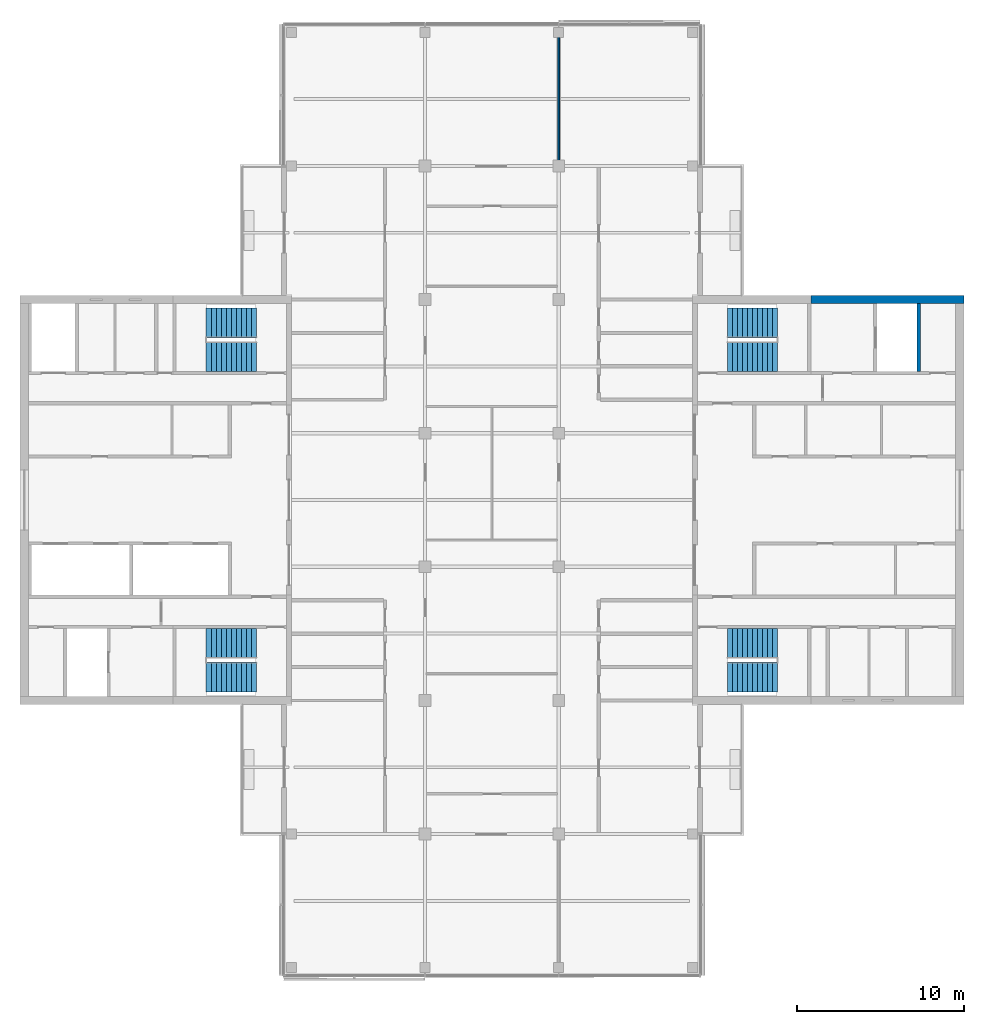
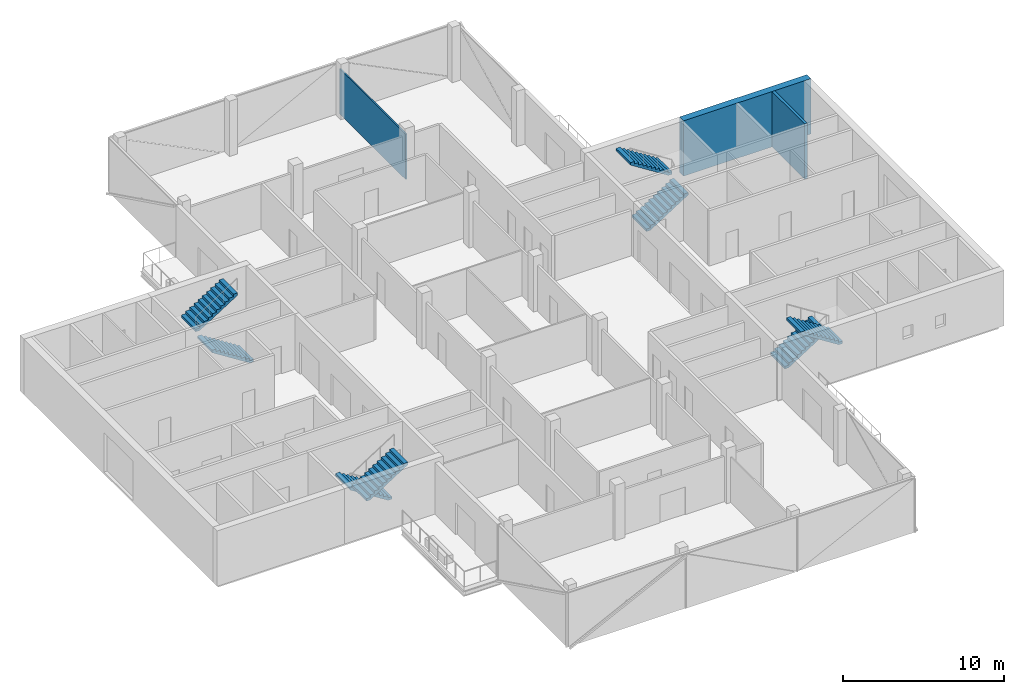
# One storey, part 9 of 12: 8 stair flights, 3 walls, 4 elements without a shape of their own.
"""IFC4 building model written with IfcOpenShell, lengths in metres."""

from ifc_helpers import new_model, si_unit, direction, frame, frame_2d, origin, place, context, subcontext, project, spatial, polyline, rectangle, outline, extrude, material, layer, layer_set, constituent, constituent_set, type_object, element, aggregate, save


model = new_model("IFC4")

# Units and contexts
model_context = context("Model", 3, precision=1e-05, world=origin(), true_north=direction((0.0, 1.0)))
body_context = subcontext(model_context, "Body", "Model", "MODEL_VIEW")
ifc_project = project(units=[si_unit("LENGTHUNIT", "METRE"), si_unit("AREAUNIT", "SQUARE_METRE"), si_unit("VOLUMEUNIT", "CUBIC_METRE"), si_unit("PLANEANGLEUNIT", "RADIAN"), si_unit("MASSUNIT", "GRAM", prefix="KILO")], contexts=[model_context])

# Site, building, storey
site_placement = place(None, origin())
site = spatial("IfcSite", under=ifc_project, at=site_placement, CompositionType="ELEMENT")
building_placement = place(site_placement, origin())
building = spatial("IfcBuilding", under=site, at=building_placement, Name="Crosswind Convention Tower", CompositionType="ELEMENT")
storey_placement = place(building_placement, frame((0.0, 0.0, 245.10009765625)))
storey = spatial("IfcBuildingStorey", under=building, at=storey_placement, Name="L52", CompositionType="ELEMENT", Elevation=245.10009765625)

# Walls
ifc_material_1 = material(Name="Concrete C50/60", Category="concrete")
ifc_layer_1 = layer(ifc_material_1, 0.199951171875)
ifc_layer_set_1 = layer_set([ifc_layer_1], Name="Concrete C50/60")
wall_type_1 = type_object("IfcWallType", Name="Concrete shaft and stair wall 200", PredefinedType="SHEAR", material=ifc_layer_set_1)
wall_1_placement = place(storey_placement, frame((150.550048828125, 107.699951171875, 0.0), z_axis=(0.0, 0.0, 1.0), x_axis=(0.0, 1.0, 0.0)))
element("IfcWall", 1, at=wall_1_placement, inside=storey, type_object=wall_type_1, Name="Wall PFSE E L52", PredefinedType="SHEAR", context=body_context, shape_type="SweptSolid", body=[
    extrude(rectangle(XDim=4.050048828125, YDim=0.199951171875, at=frame_2d((2.02490234375, 0.0))), origin(), (0.0, 0.0, 1.0), 4.199951171875),
])
ifc_material_2 = material(Name="Plasterboard partition", Category="gypsum")
ifc_layer_2 = layer(ifc_material_2, 0.10009765625)
ifc_layer_set_2 = layer_set([ifc_layer_2], Name="PARTITION 100 METAL STUD")
wall_type_2 = type_object("IfcWallType", Name="PARTITION 100 METAL STUD", PredefinedType="PARTITIONING", material=ifc_layer_set_2)
wall_2_placement = place(storey_placement, frame((129.0, 120.074951171875, 0.0), z_axis=(0.0, 0.0, 1.0), x_axis=(0.0, 1.0, 0.0)))
element("IfcWall", 2, at=wall_2_placement, inside=storey, type_object=wall_type_2, Name="Partition wall WT40", PredefinedType="PARTITIONING", context=body_context, shape_type="SweptSolid", body=[
    extrude(rectangle(XDim=8.195068359375, YDim=0.10009765625, at=frame_2d((4.09765625, 0.0))), origin(), (0.0, 0.0, 1.0), 3.442626953125),
])
ifc_material_3 = material(Name="Concrete C60/75", Category="concrete")
ifc_constituent_1 = constituent(ifc_material_3, Name="Structure")
ifc_material_4 = material(Name="Terracotta rainscreen", Category="ceramic")
ifc_constituent_2 = constituent(ifc_material_4, Name="Facing")
ifc_constituent_set = constituent_set(constituents=[ifc_constituent_1, ifc_constituent_2], Name="Concrete C60/75, Terracotta rainscreen")
wall_type_3 = type_object("IfcWallType", Name="Terracotta rainscreen on concrete core wall 500", PredefinedType="SHEAR", material=ifc_constituent_set)
wall_3_placement = place(storey_placement, frame((144.10009765625, 112.0, 0.0), z_axis=(0.0, 0.0, 1.0), x_axis=(1.0, 0.0, 0.0)))
element("IfcWall", 3, at=wall_3_placement, inside=storey, type_object=wall_type_3, Name="Wall N2 E L52", PredefinedType="SHEAR", context=body_context, shape_type="SweptSolid", body=[
    extrude(rectangle(XDim=9.14990234375, YDim=0.5, at=frame_2d((4.574951171875, 0.0))), origin(), (0.0, 0.0, 1.0), 4.199951171875),
])

# Stair, stair flights
ifc_material_5 = material(Name="Concrete C40/50", Category="concrete")
stair_type = type_object("IfcStairType", Name="Exit stair 1800 wide, 2 flights of 11 risers", PredefinedType="HALF_TURN_STAIR", material=ifc_material_5)
stair_1_placement = place(storey_placement, origin())
stair_1 = element("IfcStair", 4, at=stair_1_placement, inside=storey, type_object=stair_type, Name="Exit stair ST1 L52", ObjectType="ST5", PredefinedType="HALF_TURN_STAIR")
stair_flight_type = type_object("IfcStairFlightType", Name="Stair flight 1800 wide, 11 risers (SF4)", PredefinedType="STRAIGHT", material=ifc_material_5)
stair_flight_1_placement = place(storey_placement, frame((139.10009765625, 108.60009765625, 0.0), z_axis=(0.0, 0.0, 1.0), x_axis=(1.0, 0.0, 0.0)))
stair_flight_1 = element("IfcStairFlight", 5, at=stair_flight_1_placement, type_object=stair_flight_type, Name="ST1 flight 1", NumberOfRisers=11, NumberOfTreads=10, PredefinedType="STRAIGHT", RiserHeight=0.190909091, TreadLength=0.3, context=body_context, shape_type="SweptSolid", body=[
    extrude(outline(polyline([(0.0, 0.0), (0.0, 0.19091796875), (0.300048828125, 0.19091796875), (0.300048828125, 0.3818359375), (0.60009765625, 0.3818359375), (0.60009765625, 0.57275390625), (0.89990234375, 0.57275390625), (0.89990234375, 0.763671875), (1.199951171875, 0.763671875), (1.199951171875, 0.95458984375), (1.5, 0.95458984375), (1.5, 1.1455078125), (1.800048828125, 1.1455078125), (1.800048828125, 1.33642578125), (2.10009765625, 1.33642578125), (2.10009765625, 1.52734375), (2.39990234375, 1.52734375), (2.39990234375, 1.71826171875), (2.699951171875, 1.71826171875), (2.699951171875, 1.9091796875), (3.0, 1.9091796875), (3.0, 2.10009765625), (3.0, 1.7314453125), (0.279296875, 0.0), (0.0, 0.0)])), frame((0.0, 0.89990234375, 0.0), z_axis=(0.0, -1.0, 0.0), x_axis=(1.0, 0.0, 0.0)), (0.0, 0.0, 1.0), 1.800048828125),
])
stair_flight_2_placement = place(storey_placement, frame((142.10009765625, 110.60009765625, 2.099853515625), z_axis=(0.0, 0.0, 1.0), x_axis=(-1.0, 0.0, 0.0)))
stair_flight_2 = element("IfcStairFlight", 6, at=stair_flight_2_placement, type_object=stair_flight_type, Name="ST1 flight 2", NumberOfRisers=11, NumberOfTreads=10, PredefinedType="STRAIGHT", RiserHeight=0.190909091, TreadLength=0.3, context=body_context, shape_type="SweptSolid", body=[
    extrude(outline(polyline([(0.0, 0.0), (0.0, 0.19091796875), (0.300048828125, 0.19091796875), (0.300048828125, 0.3818359375), (0.60009765625, 0.3818359375), (0.60009765625, 0.57275390625), (0.89990234375, 0.57275390625), (0.89990234375, 0.763671875), (1.199951171875, 0.763671875), (1.199951171875, 0.95458984375), (1.5, 0.95458984375), (1.5, 1.1455078125), (1.800048828125, 1.1455078125), (1.800048828125, 1.33642578125), (2.10009765625, 1.33642578125), (2.10009765625, 1.52734375), (2.39990234375, 1.52734375), (2.39990234375, 1.71826171875), (2.699951171875, 1.71826171875), (2.699951171875, 1.9091796875), (3.0, 1.9091796875), (3.0, 2.10009765625), (3.0, 1.7314453125), (0.279296875, 0.0), (0.0, 0.0)])), frame((0.0, 0.89990234375, 0.0), z_axis=(0.0, -1.0, 0.0), x_axis=(1.0, 0.0, 0.0)), (0.0, 0.0, 1.0), 1.800048828125),
])
aggregate(stair_1, [stair_flight_1, stair_flight_2])

stair_2_placement = place(storey_placement, origin())
stair_2 = element("IfcStair", 7, at=stair_2_placement, inside=storey, type_object=stair_type, Name="Exit stair ST2 L52", ObjectType="ST5", PredefinedType="HALF_TURN_STAIR")
stair_flight_3_placement = place(storey_placement, frame((139.10009765625, 91.39990234375, 0.0), z_axis=(0.0, 0.0, 1.0), x_axis=(1.0, 0.0, 0.0)))
stair_flight_3 = element("IfcStairFlight", 8, at=stair_flight_3_placement, type_object=stair_flight_type, Name="ST2 flight 1", NumberOfRisers=11, NumberOfTreads=10, PredefinedType="STRAIGHT", RiserHeight=0.190909091, TreadLength=0.3, context=body_context, shape_type="SweptSolid", body=[
    extrude(outline(polyline([(0.0, 0.0), (0.0, 0.19091796875), (0.300048828125, 0.19091796875), (0.300048828125, 0.3818359375), (0.60009765625, 0.3818359375), (0.60009765625, 0.57275390625), (0.89990234375, 0.57275390625), (0.89990234375, 0.763671875), (1.199951171875, 0.763671875), (1.199951171875, 0.95458984375), (1.5, 0.95458984375), (1.5, 1.1455078125), (1.800048828125, 1.1455078125), (1.800048828125, 1.33642578125), (2.10009765625, 1.33642578125), (2.10009765625, 1.52734375), (2.39990234375, 1.52734375), (2.39990234375, 1.71826171875), (2.699951171875, 1.71826171875), (2.699951171875, 1.9091796875), (3.0, 1.9091796875), (3.0, 2.10009765625), (3.0, 1.7314453125), (0.279296875, 0.0), (0.0, 0.0)])), frame((0.0, 0.89990234375, 0.0), z_axis=(0.0, -1.0, 0.0), x_axis=(1.0, 0.0, 0.0)), (0.0, 0.0, 1.0), 1.800048828125),
])
stair_flight_4_placement = place(storey_placement, frame((142.10009765625, 89.39990234375, 2.099853515625), z_axis=(0.0, 0.0, 1.0), x_axis=(-1.0, 0.0, 0.0)))
stair_flight_4 = element("IfcStairFlight", 9, at=stair_flight_4_placement, type_object=stair_flight_type, Name="ST2 flight 2", NumberOfRisers=11, NumberOfTreads=10, PredefinedType="STRAIGHT", RiserHeight=0.190909091, TreadLength=0.3, context=body_context, shape_type="SweptSolid", body=[
    extrude(outline(polyline([(0.0, 0.0), (0.0, 0.19091796875), (0.300048828125, 0.19091796875), (0.300048828125, 0.3818359375), (0.60009765625, 0.3818359375), (0.60009765625, 0.57275390625), (0.89990234375, 0.57275390625), (0.89990234375, 0.763671875), (1.199951171875, 0.763671875), (1.199951171875, 0.95458984375), (1.5, 0.95458984375), (1.5, 1.1455078125), (1.800048828125, 1.1455078125), (1.800048828125, 1.33642578125), (2.10009765625, 1.33642578125), (2.10009765625, 1.52734375), (2.39990234375, 1.52734375), (2.39990234375, 1.71826171875), (2.699951171875, 1.71826171875), (2.699951171875, 1.9091796875), (3.0, 1.9091796875), (3.0, 2.10009765625), (3.0, 1.7314453125), (0.279296875, 0.0), (0.0, 0.0)])), frame((0.0, 0.89990234375, 0.0), z_axis=(0.0, -1.0, 0.0), x_axis=(1.0, 0.0, 0.0)), (0.0, 0.0, 1.0), 1.800048828125),
])
aggregate(stair_2, [stair_flight_3, stair_flight_4])

stair_3_placement = place(storey_placement, origin())
stair_3 = element("IfcStair", 10, at=stair_3_placement, inside=storey, type_object=stair_type, Name="Exit stair ST3 L52", ObjectType="ST5", PredefinedType="HALF_TURN_STAIR")
stair_flight_5_placement = place(storey_placement, frame((110.89990234375, 91.39990234375, 0.0), z_axis=(0.0, 0.0, 1.0), x_axis=(-1.0, 0.0, 0.0)))
stair_flight_5 = element("IfcStairFlight", 11, at=stair_flight_5_placement, type_object=stair_flight_type, Name="ST3 flight 1", NumberOfRisers=11, NumberOfTreads=10, PredefinedType="STRAIGHT", RiserHeight=0.190909091, TreadLength=0.3, context=body_context, shape_type="SweptSolid", body=[
    extrude(outline(polyline([(0.0, 0.0), (0.0, 0.19091796875), (0.300048828125, 0.19091796875), (0.300048828125, 0.3818359375), (0.60009765625, 0.3818359375), (0.60009765625, 0.57275390625), (0.89990234375, 0.57275390625), (0.89990234375, 0.763671875), (1.199951171875, 0.763671875), (1.199951171875, 0.95458984375), (1.5, 0.95458984375), (1.5, 1.1455078125), (1.800048828125, 1.1455078125), (1.800048828125, 1.33642578125), (2.10009765625, 1.33642578125), (2.10009765625, 1.52734375), (2.39990234375, 1.52734375), (2.39990234375, 1.71826171875), (2.699951171875, 1.71826171875), (2.699951171875, 1.9091796875), (3.0, 1.9091796875), (3.0, 2.10009765625), (3.0, 1.7314453125), (0.279296875, 0.0), (0.0, 0.0)])), frame((0.0, 0.89990234375, 0.0), z_axis=(0.0, -1.0, 0.0), x_axis=(1.0, 0.0, 0.0)), (0.0, 0.0, 1.0), 1.800048828125),
])
stair_flight_6_placement = place(storey_placement, frame((107.89990234375, 89.39990234375, 2.099853515625), z_axis=(0.0, 0.0, 1.0), x_axis=(1.0, 0.0, 0.0)))
stair_flight_6 = element("IfcStairFlight", 12, at=stair_flight_6_placement, type_object=stair_flight_type, Name="ST3 flight 2", NumberOfRisers=11, NumberOfTreads=10, PredefinedType="STRAIGHT", RiserHeight=0.190909091, TreadLength=0.3, context=body_context, shape_type="SweptSolid", body=[
    extrude(outline(polyline([(0.0, 0.0), (0.0, 0.19091796875), (0.300048828125, 0.19091796875), (0.300048828125, 0.3818359375), (0.60009765625, 0.3818359375), (0.60009765625, 0.57275390625), (0.89990234375, 0.57275390625), (0.89990234375, 0.763671875), (1.199951171875, 0.763671875), (1.199951171875, 0.95458984375), (1.5, 0.95458984375), (1.5, 1.1455078125), (1.800048828125, 1.1455078125), (1.800048828125, 1.33642578125), (2.10009765625, 1.33642578125), (2.10009765625, 1.52734375), (2.39990234375, 1.52734375), (2.39990234375, 1.71826171875), (2.699951171875, 1.71826171875), (2.699951171875, 1.9091796875), (3.0, 1.9091796875), (3.0, 2.10009765625), (3.0, 1.7314453125), (0.279296875, 0.0), (0.0, 0.0)])), frame((0.0, 0.89990234375, 0.0), z_axis=(0.0, -1.0, 0.0), x_axis=(1.0, 0.0, 0.0)), (0.0, 0.0, 1.0), 1.800048828125),
])
aggregate(stair_3, [stair_flight_5, stair_flight_6])

stair_4_placement = place(storey_placement, origin())
stair_4 = element("IfcStair", 13, at=stair_4_placement, inside=storey, type_object=stair_type, Name="Exit stair ST4 L52", ObjectType="ST5", PredefinedType="HALF_TURN_STAIR")
stair_flight_7_placement = place(storey_placement, frame((110.89990234375, 108.60009765625, 0.0), z_axis=(0.0, 0.0, 1.0), x_axis=(-1.0, 0.0, 0.0)))
stair_flight_7 = element("IfcStairFlight", 14, at=stair_flight_7_placement, type_object=stair_flight_type, Name="ST4 flight 1", NumberOfRisers=11, NumberOfTreads=10, PredefinedType="STRAIGHT", RiserHeight=0.190909091, TreadLength=0.3, context=body_context, shape_type="SweptSolid", body=[
    extrude(outline(polyline([(0.0, 0.0), (0.0, 0.19091796875), (0.300048828125, 0.19091796875), (0.300048828125, 0.3818359375), (0.60009765625, 0.3818359375), (0.60009765625, 0.57275390625), (0.89990234375, 0.57275390625), (0.89990234375, 0.763671875), (1.199951171875, 0.763671875), (1.199951171875, 0.95458984375), (1.5, 0.95458984375), (1.5, 1.1455078125), (1.800048828125, 1.1455078125), (1.800048828125, 1.33642578125), (2.10009765625, 1.33642578125), (2.10009765625, 1.52734375), (2.39990234375, 1.52734375), (2.39990234375, 1.71826171875), (2.699951171875, 1.71826171875), (2.699951171875, 1.9091796875), (3.0, 1.9091796875), (3.0, 2.10009765625), (3.0, 1.7314453125), (0.279296875, 0.0), (0.0, 0.0)])), frame((0.0, 0.89990234375, 0.0), z_axis=(0.0, -1.0, 0.0), x_axis=(1.0, 0.0, 0.0)), (0.0, 0.0, 1.0), 1.800048828125),
])
stair_flight_8_placement = place(storey_placement, frame((107.89990234375, 110.60009765625, 2.099853515625), z_axis=(0.0, 0.0, 1.0), x_axis=(1.0, 0.0, 0.0)))
stair_flight_8 = element("IfcStairFlight", 15, at=stair_flight_8_placement, type_object=stair_flight_type, Name="ST4 flight 2", NumberOfRisers=11, NumberOfTreads=10, PredefinedType="STRAIGHT", RiserHeight=0.190909091, TreadLength=0.3, context=body_context, shape_type="SweptSolid", body=[
    extrude(outline(polyline([(0.0, 0.0), (0.0, 0.19091796875), (0.300048828125, 0.19091796875), (0.300048828125, 0.3818359375), (0.60009765625, 0.3818359375), (0.60009765625, 0.57275390625), (0.89990234375, 0.57275390625), (0.89990234375, 0.763671875), (1.199951171875, 0.763671875), (1.199951171875, 0.95458984375), (1.5, 0.95458984375), (1.5, 1.1455078125), (1.800048828125, 1.1455078125), (1.800048828125, 1.33642578125), (2.10009765625, 1.33642578125), (2.10009765625, 1.52734375), (2.39990234375, 1.52734375), (2.39990234375, 1.71826171875), (2.699951171875, 1.71826171875), (2.699951171875, 1.9091796875), (3.0, 1.9091796875), (3.0, 2.10009765625), (3.0, 1.7314453125), (0.279296875, 0.0), (0.0, 0.0)])), frame((0.0, 0.89990234375, 0.0), z_axis=(0.0, -1.0, 0.0), x_axis=(1.0, 0.0, 0.0)), (0.0, 0.0, 1.0), 1.800048828125),
])
aggregate(stair_4, [stair_flight_7, stair_flight_8])

save(model, "model.ifc")
